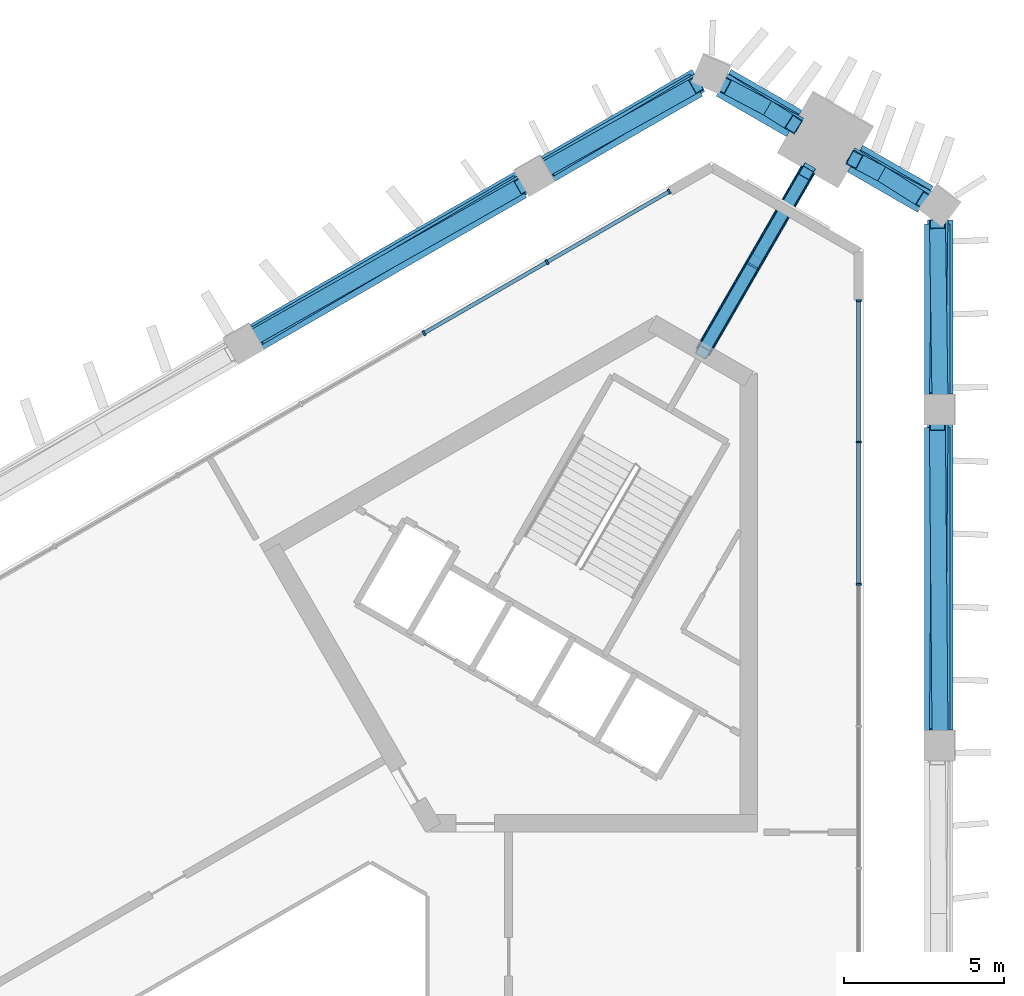
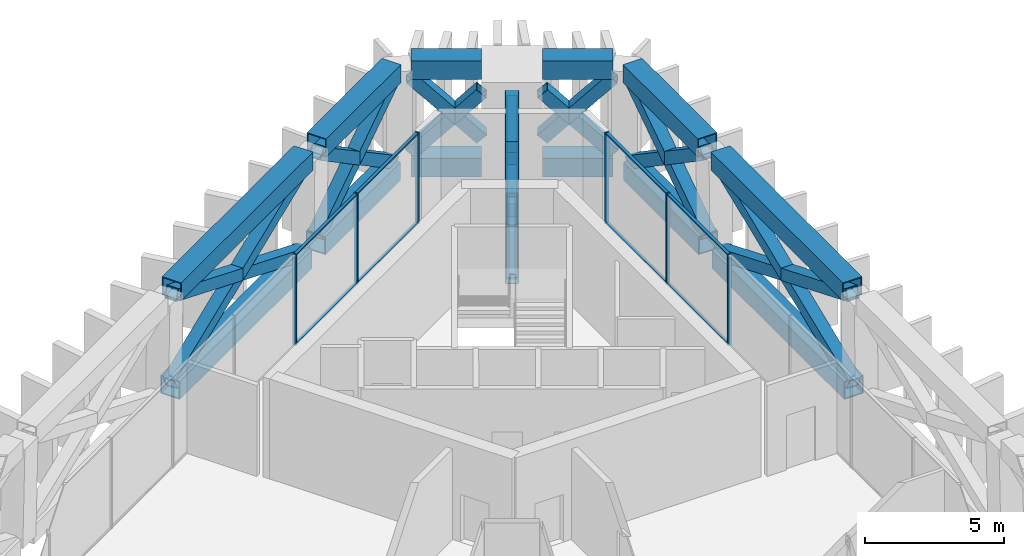
# One storey, part 8 of 15: 46 members, 2 elements without a shape of their own.
"""IFC4 building model written with IfcOpenShell, lengths in metres."""

from ifc_helpers import new_model, si_unit, direction, frame, origin, origin_2d, place, context, subcontext, project, spatial, rectangle, hollow_rectangle, extrude, material, layer, layer_set, material_profile, profile_set, type_object, element, aggregate, save


model = new_model("IFC4")

# Units and contexts
model_context = context("Model", 3, precision=1e-05, world=origin(), true_north=direction((0.0, 1.0)))
body_context = subcontext(model_context, "Body", "Model", "MODEL_VIEW")
ifc_project = project(units=[si_unit("LENGTHUNIT", "METRE"), si_unit("AREAUNIT", "SQUARE_METRE"), si_unit("VOLUMEUNIT", "CUBIC_METRE"), si_unit("PLANEANGLEUNIT", "RADIAN"), si_unit("MASSUNIT", "GRAM", prefix="KILO")], contexts=[model_context])

# Site, building, storey
site_placement = place(None, origin())
site = spatial("IfcSite", under=ifc_project, at=site_placement, CompositionType="ELEMENT")
building_placement = place(site_placement, origin())
building = spatial("IfcBuilding", under=site, at=building_placement, Name="Jabali Bay Hotel Tower and Convention Centre", CompositionType="ELEMENT")
storey_placement = place(building_placement, frame((0.0, 0.0, 201.39990234375)))
storey = spatial("IfcBuildingStorey", under=building, at=storey_placement, Name="L49", CompositionType="ELEMENT", Elevation=201.39990234375)

# Members
ifc_material_1 = material(Name="Steel Q420GJC", Category="steel")
ifc_material_profile_1 = material_profile(ifc_material_1, hollow_rectangle(XDim=0.5, YDim=0.5, WallThickness=0.030029296875, at=origin_2d()), Name="Belt brace 500x500x30")
ifc_profile_set_1 = profile_set([ifc_material_profile_1], Name="Steel Q420GJC")
member_type_1 = type_object("IfcMemberType", Name="Belt brace 500x500x30", PredefinedType="BRACE", material=ifc_profile_set_1)
member_1_placement = place(storey_placement, frame((91.0439453125, 109.987060546875, 1.176025390625), z_axis=(-0.60406023233, 0.319063000039, 0.730280793752), x_axis=(-0.467048750323, -0.88423156742, 0.0)))
element("IfcMember", 1, at=member_1_placement, inside=storey, type_object=member_type_1, Name="Belt brace T4 M1-V2 x1", PredefinedType="BRACE", context=body_context, shape_type="SweptSolid", body=[
    extrude(hollow_rectangle(XDim=0.5, YDim=0.5, WallThickness=0.030029296875, at=origin_2d()), origin(), (0.0, 0.0, 1.0), 3.719482421875),
])
member_2_placement = place(storey_placement, frame((88.845458984375, 111.28369140625, 0.50634765625), z_axis=(0.579379713275, -0.364164713086, 0.72917981979), x_axis=(0.53215392597, 0.846647623911, 0.0)))
element("IfcMember", 2, at=member_2_placement, inside=storey, type_object=member_type_1, Name="Belt brace T4 M1-V2 x2", PredefinedType="BRACE", context=body_context, shape_type="SweptSolid", body=[
    extrude(hollow_rectangle(XDim=0.5, YDim=0.5, WallThickness=0.030029296875, at=origin_2d()), origin(), (0.0, 0.0, 1.0), 3.732177734375),
])
member_3_placement = place(storey_placement, frame((88.035400390625, 111.293212890625, 0.322509765625), z_axis=(-0.710751922424, -0.423449210796, 0.561713869017), x_axis=(0.511825276994, -0.859089567991, 0.0)))
element("IfcMember", 3, at=member_3_placement, inside=storey, type_object=member_type_1, Name="Belt brace T4 V2-F1.1 x1", PredefinedType="BRACE", context=body_context, shape_type="SweptSolid", body=[
    extrude(hollow_rectangle(XDim=0.5, YDim=0.5, WallThickness=0.030029296875, at=origin_2d()), origin(), (0.0, 0.0, 1.0), 6.68505859375),
])
member_4_placement = place(storey_placement, frame((83.327392578125, 108.574951171875, 0.333984375), z_axis=(0.71423065892, 0.398947442213, 0.575078693928), x_axis=(-0.48765232902, 0.873037917848, 0.0)))
element("IfcMember", 4, at=member_4_placement, inside=storey, type_object=member_type_1, Name="Belt brace T4 V2-F1.1 x2", PredefinedType="BRACE", context=body_context, shape_type="SweptSolid", body=[
    extrude(hollow_rectangle(XDim=0.5, YDim=0.5, WallThickness=0.030029296875, at=origin_2d()), origin(), (0.0, 0.0, 1.0), 6.48974609375),
])
member_5_placement = place(storey_placement, frame((82.50341796875, 108.102294921875, 0.197998046875), z_axis=(-0.795490457327, -0.468241818131, 0.38463558345), x_axis=(0.507266594802, -0.861789186401, 0.0)))
element("IfcMember", 5, at=member_5_placement, inside=storey, type_object=member_type_1, Name="Belt brace T4 F1.1-F1.2 x1", PredefinedType="BRACE", context=body_context, shape_type="SweptSolid", body=[
    extrude(hollow_rectangle(XDim=0.5, YDim=0.5, WallThickness=0.030029296875, at=origin_2d()), origin(), (0.0, 0.0, 1.0), 10.41015625),
])
member_6_placement = place(storey_placement, frame((74.222412109375, 103.3212890625, 0.20068359375), z_axis=(0.801696760656, 0.453782552089, 0.389054879642), x_axis=(-0.492591587689, 0.870260609092, 0.0)))
element("IfcMember", 6, at=member_6_placement, inside=storey, type_object=member_type_1, Name="Belt brace T4 F1.1-F1.2 x2", PredefinedType="BRACE", context=body_context, shape_type="SweptSolid", body=[
    extrude(hollow_rectangle(XDim=0.5, YDim=0.5, WallThickness=0.030029296875, at=origin_2d()), origin(), (0.0, 0.0, 1.0), 10.278076171875),
])
member_7_placement = place(storey_placement, frame((95.58544921875, 90.987060546875, 0.20068359375), z_axis=(-0.007838448709, 0.921183993425, 0.389048337587), x_axis=(-0.999963799556, -0.008508794128, 0.0)))
element("IfcMember", 7, at=member_7_placement, inside=storey, type_object=member_type_1, Name="Belt brace T4 F0.4-F0.5 x1", PredefinedType="BRACE", context=body_context, shape_type="SweptSolid", body=[
    extrude(hollow_rectangle(XDim=0.5, YDim=0.5, WallThickness=0.030029296875, at=origin_2d()), origin(), (0.0, 0.0, 1.0), 10.2783203125),
])
member_8_placement = place(storey_placement, frame((95.585693359375, 100.54931640625, 0.197998046875), z_axis=(-0.007762528307, -0.923037316115, 0.384632105023), x_axis=(0.999964639789, -0.008409469137, 0.0)))
element("IfcMember", 8, at=member_8_placement, inside=storey, type_object=member_type_1, Name="Belt brace T4 F0.4-F0.5 x2", PredefinedType="BRACE", context=body_context, shape_type="SweptSolid", body=[
    extrude(hollow_rectangle(XDim=0.5, YDim=0.5, WallThickness=0.030029296875, at=origin_2d()), origin(), (0.0, 0.0, 1.0), 10.410400390625),
])
member_9_placement = place(storey_placement, frame((95.582763671875, 101.499267578125, 0.333984375), z_axis=(-0.01158690247, 0.81800521853, 0.575094084606), x_axis=(-0.999899693931, -0.014163406261, 0.0)))
element("IfcMember", 9, at=member_9_placement, inside=storey, type_object=member_type_1, Name="Belt brace T4 F0.5-V1 x1", PredefinedType="BRACE", context=body_context, shape_type="SweptSolid", body=[
    extrude(hollow_rectangle(XDim=0.5, YDim=0.5, WallThickness=0.030029296875, at=origin_2d()), origin(), (0.0, 0.0, 1.0), 6.48974609375),
])
member_10_placement = place(storey_placement, frame((95.5830078125, 106.935546875, 0.322509765625), z_axis=(-0.011321227141, -0.827253023193, 0.561715466614), x_axis=(0.999906369081, -0.013684044429, 0.0)))
element("IfcMember", 10, at=member_10_placement, inside=storey, type_object=member_type_1, Name="Belt brace T4 F0.5-V1 x2", PredefinedType="BRACE", context=body_context, shape_type="SweptSolid", body=[
    extrude(hollow_rectangle(XDim=0.5, YDim=0.5, WallThickness=0.030029296875, at=origin_2d()), origin(), (0.0, 0.0, 1.0), 6.68505859375),
])
member_11_placement = place(storey_placement, frame((95.169677734375, 107.63232421875, 0.50634765625), z_axis=(-0.605036808845, 0.31969022433, 0.729197243831), x_axis=(-0.467176026972, -0.884164328517, 0.0)))
element("IfcMember", 11, at=member_11_placement, inside=storey, type_object=member_type_1, Name="Belt brace T4 V1-M1 x1", PredefinedType="BRACE", context=body_context, shape_type="SweptSolid", body=[
    extrude(hollow_rectangle(XDim=0.5, YDim=0.5, WallThickness=0.030029296875, at=origin_2d()), origin(), (0.0, 0.0, 1.0), 3.732177734375),
])
member_12_placement = place(storey_placement, frame((92.94775390625, 108.887939453125, 1.176025390625), z_axis=(0.578299534748, -0.36358696061, 0.730324701886), x_axis=(0.532260100968, 0.846580879135, 0.0)))
element("IfcMember", 12, at=member_12_placement, inside=storey, type_object=member_type_1, Name="Belt brace T4 V1-M1 x2", PredefinedType="BRACE", context=body_context, shape_type="SweptSolid", body=[
    extrude(hollow_rectangle(XDim=0.5, YDim=0.5, WallThickness=0.030029296875, at=origin_2d()), origin(), (0.0, 0.0, 1.0), 3.71923828125),
])
ifc_material_profile_2 = material_profile(ifc_material_1, hollow_rectangle(XDim=0.800048828125, YDim=0.800048828125, WallThickness=0.0400390625, at=origin_2d()), Name="Belt chord 800x800x40")
ifc_profile_set_2 = profile_set([ifc_material_profile_2], Name="Steel Q420GJC")
member_type_2 = type_object("IfcMemberType", Name="Belt chord 800x800x40", PredefinedType="CHORD", material=ifc_profile_set_2)
member_13_placement = place(storey_placement, frame((91.06396484375, 110.0234375, 0.0), z_axis=(-0.866043744811, 0.499968231064, 0.0), x_axis=(-0.499968231064, -0.866043744811, 0.0)))
element("IfcMember", 13, at=member_13_placement, inside=storey, type_object=member_type_2, Name="Belt chord T4 M1-V2", PredefinedType="CHORD", context=body_context, shape_type="SweptSolid", body=[
    extrude(hollow_rectangle(XDim=0.800048828125, YDim=0.800048828125, WallThickness=0.0400390625, at=origin_2d()), origin(), (0.0, 0.0, 1.0), 2.551025390625),
])
member_14_placement = place(storey_placement, frame((88.031982421875, 111.298828125, 0.0), z_axis=(-0.866037510713, -0.499979029598, 0.0), x_axis=(0.499979029598, -0.866037510713, 0.0)))
element("IfcMember", 14, at=member_14_placement, inside=storey, type_object=member_type_2, Name="Belt chord T4 V2-F1.1", PredefinedType="CHORD", context=body_context, shape_type="SweptSolid", body=[
    extrude(hollow_rectangle(XDim=0.800048828125, YDim=0.800048828125, WallThickness=0.0400390625, at=origin_2d()), origin(), (0.0, 0.0, 1.0), 5.436279296875),
])
for number, where, z_axis, x_axis, name in (
    (15, (82.50146484375, 108.105712890625, 0.0), (-0.866033376156, -0.499986191193, 0.0), (0.499986191193, -0.866033376156, 0.0), "Belt chord T4 F1.1-F1.2"),
    (16, (95.589599609375, 90.987060546875, 0.0), (0.0, 1.0, 0.0), (-1.0, 0.0, 0.0), "Belt chord T4 F0.4-F0.5"),
):
    element("IfcMember", number, at=place(storey_placement, frame(where, z_axis=z_axis, x_axis=x_axis)), inside=storey, type_object=member_type_2, Name=name, PredefinedType="CHORD", context=body_context, shape_type="SweptSolid", body=[
        extrude(hollow_rectangle(XDim=0.800048828125, YDim=0.800048828125, WallThickness=0.0400390625, at=origin_2d()), origin(), (0.0, 0.0, 1.0), 9.562255859375),
    ])
member_15_placement = place(storey_placement, frame((95.589599609375, 101.499267578125, 0.0), z_axis=(0.0, 1.0, 0.0), x_axis=(-1.0, 0.0, 0.0)))
element("IfcMember", 17, at=member_15_placement, inside=storey, type_object=member_type_2, Name="Belt chord T4 F0.5-V1", PredefinedType="CHORD", context=body_context, shape_type="SweptSolid", body=[
    extrude(hollow_rectangle(XDim=0.800048828125, YDim=0.800048828125, WallThickness=0.0400390625, at=origin_2d()), origin(), (0.0, 0.0, 1.0), 5.436279296875),
])
member_16_placement = place(storey_placement, frame((95.17822265625, 107.64794921875, 0.0), z_axis=(-0.866019818373, 0.500009674092, 0.0), x_axis=(-0.500009674092, -0.866019818373, 0.0)))
element("IfcMember", 18, at=member_16_placement, inside=storey, type_object=member_type_2, Name="Belt chord T4 V1-M1", PredefinedType="CHORD", context=body_context, shape_type="SweptSolid", body=[
    extrude(hollow_rectangle(XDim=0.800048828125, YDim=0.800048828125, WallThickness=0.0400390625, at=origin_2d()), origin(), (0.0, 0.0, 1.0), 2.55078125),
])
member_17_placement = place(storey_placement, frame((90.986328125, 109.88916015625, 4.400146484375), z_axis=(-0.865996539853, 0.500049990464, 0.0), x_axis=(-0.500049990464, -0.865996539853, 0.0)))
element("IfcMember", 19, at=member_17_placement, inside=storey, type_object=member_type_2, Name="Belt chord T4 M1-V2", PredefinedType="CHORD", context=body_context, shape_type="SweptSolid", body=[
    extrude(hollow_rectangle(XDim=0.800048828125, YDim=0.800048828125, WallThickness=0.0400390625, at=origin_2d()), origin(), (0.0, 0.0, 1.0), 2.537841796875),
])
member_18_placement = place(storey_placement, frame((87.9658203125, 111.158203125, 4.400146484375), z_axis=(-0.866001200721, -0.500041918592, 0.0), x_axis=(0.500041918592, -0.866001200721, 0.0)))
element("IfcMember", 20, at=member_18_placement, inside=storey, type_object=member_type_2, Name="Belt chord T4 V2-F1.1", PredefinedType="CHORD", context=body_context, shape_type="SweptSolid", body=[
    extrude(hollow_rectangle(XDim=0.800048828125, YDim=0.800048828125, WallThickness=0.0400390625, at=origin_2d()), origin(), (0.0, 0.0, 1.0), 5.40234375),
])
for number, where, z_axis, x_axis, name in (
    (21, (82.464599609375, 107.98193359375, 4.400146484375), (-0.866028777211, -0.499994157009, 0.0), (0.499994157009, -0.866028777211, 0.0), "Belt chord T4 F1.1-F1.2"),
    (22, (95.500732421875, 90.940185546875, 4.400146484375), (0.0, 1.0, 0.0), (-1.0, 0.0, 0.0), "Belt chord T4 F0.4-F0.5"),
):
    element("IfcMember", number, at=place(storey_placement, frame(where, z_axis=z_axis, x_axis=x_axis)), inside=storey, type_object=member_type_2, Name=name, PredefinedType="CHORD", context=body_context, shape_type="SweptSolid", body=[
        extrude(hollow_rectangle(XDim=0.800048828125, YDim=0.800048828125, WallThickness=0.0400390625, at=origin_2d()), origin(), (0.0, 0.0, 1.0), 9.51513671875),
    ])
member_19_placement = place(storey_placement, frame((95.500732421875, 101.405517578125, 4.400146484375), z_axis=(0.0, 1.0, 0.0), x_axis=(-1.0, 0.0, 0.0)))
element("IfcMember", 23, at=member_19_placement, inside=storey, type_object=member_type_2, Name="Belt chord T4 F0.5-V1", PredefinedType="CHORD", context=body_context, shape_type="SweptSolid", body=[
    extrude(hollow_rectangle(XDim=0.800048828125, YDim=0.800048828125, WallThickness=0.0400390625, at=origin_2d()), origin(), (0.0, 0.0, 1.0), 5.40234375),
])
member_20_placement = place(storey_placement, frame((95.08935546875, 107.520263671875, 4.400146484375), z_axis=(-0.865996539853, 0.500049990464, 0.0), x_axis=(-0.500049990464, -0.865996539853, 0.0)))
element("IfcMember", 24, at=member_20_placement, inside=storey, type_object=member_type_2, Name="Belt chord T4 V1-M1", PredefinedType="CHORD", context=body_context, shape_type="SweptSolid", body=[
    extrude(hollow_rectangle(XDim=0.800048828125, YDim=0.800048828125, WallThickness=0.0400390625, at=origin_2d()), origin(), (0.0, 0.0, 1.0), 2.537841796875),
])

# Curtain wall, members
ifc_material_2 = material(Name="Aluminium and glass", Category="aluminium")
ifc_layer = layer(ifc_material_2, 0.159912109375)
ifc_layer_set = layer_set([ifc_layer], Name="Aluminium and glass")
curtain_wall_type = type_object("IfcCurtainWallType", Name="CW3 curtain wall", PredefinedType="NOTDEFINED", material=ifc_layer_set)
curtain_wall_1_placement = place(storey_placement, origin())
curtain_wall_1 = element("IfcCurtainWall", 25, at=curtain_wall_1_placement, inside=storey, type_object=curtain_wall_type, Name="CW3 curtain wall east face L49", PredefinedType="NOTDEFINED")
ifc_material_3 = material(Name="Aluminium", Category="aluminium")
ifc_material_profile_3 = material_profile(ifc_material_3, rectangle(XDim=0.159912109375, YDim=0.06005859375, at=origin_2d()), Name="CW3 mullion 60 x 160")
ifc_profile_set_3 = profile_set([ifc_material_profile_3], Name="Aluminium")
member_type_3 = type_object("IfcMemberType", Name="CW3 mullion 60 x 160", PredefinedType="MULLION", material=ifc_profile_set_3)
member_21_placement = place(storey_placement, frame((93.03955078125, 104.408203125, 0.0), z_axis=(0.0, 0.0, 1.0), x_axis=(1.0, 0.0, 0.0)))
member_21 = element("IfcMember", 26, at=member_21_placement, type_object=member_type_3, Name="CW3 mullion 1", PredefinedType="MULLION", context=body_context, shape_type="SweptSolid", body=[
    extrude(rectangle(XDim=0.159912109375, YDim=0.06005859375, at=origin_2d()), origin(), (0.0, 0.0, 1.0), 4.0),
])
member_22_placement = place(storey_placement, frame((93.03955078125, 99.994873046875, 0.0), z_axis=(0.0, 0.0, 1.0), x_axis=(1.0, 0.0, 0.0)))
member_22 = element("IfcMember", 27, at=member_22_placement, type_object=member_type_3, Name="CW3 mullion 2", PredefinedType="MULLION", context=body_context, shape_type="SweptSolid", body=[
    extrude(rectangle(XDim=0.159912109375, YDim=0.06005859375, at=origin_2d()), origin(), (0.0, 0.0, 1.0), 4.0),
])
member_23_placement = place(storey_placement, frame((93.03955078125, 95.551513671875, 0.0), z_axis=(0.0, 0.0, 1.0), x_axis=(1.0, 0.0, 0.0)))
member_23 = element("IfcMember", 28, at=member_23_placement, type_object=member_type_3, Name="CW3 mullion 3", PredefinedType="MULLION", context=body_context, shape_type="SweptSolid", body=[
    extrude(rectangle(XDim=0.159912109375, YDim=0.06005859375, at=origin_2d()), origin(), (0.0, 0.0, 1.0), 4.0),
])

curtain_wall_2_placement = place(storey_placement, origin())
curtain_wall_2 = element("IfcCurtainWall", 29, at=curtain_wall_2_placement, inside=storey, type_object=curtain_wall_type, Name="CW3 curtain wall north-west face L49", PredefinedType="NOTDEFINED")
member_24_placement = place(storey_placement, frame((79.4482421875, 103.398681640625, 0.0), z_axis=(0.0, 0.0, 1.0), x_axis=(-0.500000002025, 0.866025402615, 0.0)))
member_24 = element("IfcMember", 30, at=member_24_placement, type_object=member_type_3, Name="CW3 mullion 10", PredefinedType="MULLION", context=body_context, shape_type="SweptSolid", body=[
    extrude(rectangle(XDim=0.159912109375, YDim=0.06005859375, at=origin_2d()), origin(), (0.0, 0.0, 1.0), 4.0),
])
member_25_placement = place(storey_placement, frame((83.29638671875, 105.6201171875, 0.0), z_axis=(0.0, 0.0, 1.0), x_axis=(-0.500000002025, 0.866025402615, 0.0)))
member_25 = element("IfcMember", 31, at=member_25_placement, type_object=member_type_3, Name="CW3 mullion 11", PredefinedType="MULLION", context=body_context, shape_type="SweptSolid", body=[
    extrude(rectangle(XDim=0.159912109375, YDim=0.06005859375, at=origin_2d()), origin(), (0.0, 0.0, 1.0), 4.0),
])
member_26_placement = place(storey_placement, frame((87.118408203125, 107.826904296875, 0.0), z_axis=(0.0, 0.0, 1.0), x_axis=(-0.500000002025, 0.866025402615, 0.0)))
member_26 = element("IfcMember", 32, at=member_26_placement, type_object=member_type_3, Name="CW3 mullion 12", PredefinedType="MULLION", context=body_context, shape_type="SweptSolid", body=[
    extrude(rectangle(XDim=0.159912109375, YDim=0.06005859375, at=origin_2d()), origin(), (0.0, 0.0, 1.0), 4.0),
])

# Member
ifc_material_profile_4 = material_profile(ifc_material_3, rectangle(XDim=0.1201171875, YDim=0.06005859375, at=origin_2d()), Name="CW3 transom 60 x 120")
ifc_profile_set_4 = profile_set([ifc_material_profile_4], Name="Aluminium")
member_type_4 = type_object("IfcMemberType", Name="CW3 transom 60 x 120", PredefinedType="USERDEFINED", material=ifc_profile_set_4)
member_27_placement = place(storey_placement, frame((93.03955078125, 104.378173828125, 0.030029296875), z_axis=(0.0, -1.0, 0.0), x_axis=(1.0, 0.0, 0.0)))
member_27 = element("IfcMember", 33, at=member_27_placement, type_object=member_type_4, Name="CW3 transom 1.1", ObjectType="TRANSOM", PredefinedType="USERDEFINED", context=body_context, shape_type="SweptSolid", body=[
    extrude(rectangle(XDim=0.1201171875, YDim=0.06005859375, at=origin_2d()), origin(), (0.0, 0.0, 1.0), 4.353271484375),
])

member_28_placement = place(storey_placement, frame((93.03955078125, 104.378173828125, 3.97021484375), z_axis=(0.0, -1.0, 0.0), x_axis=(1.0, 0.0, 0.0)))
member_28 = element("IfcMember", 34, at=member_28_placement, type_object=member_type_4, Name="CW3 transom 1.2", ObjectType="TRANSOM", PredefinedType="USERDEFINED", context=body_context, shape_type="SweptSolid", body=[
    extrude(rectangle(XDim=0.1201171875, YDim=0.06005859375, at=origin_2d()), origin(), (0.0, 0.0, 1.0), 4.353271484375),
])

member_29_placement = place(storey_placement, frame((93.03955078125, 99.96484375, 0.030029296875), z_axis=(0.0, -1.0, 0.0), x_axis=(1.0, 0.0, 0.0)))
member_29 = element("IfcMember", 35, at=member_29_placement, type_object=member_type_4, Name="CW3 transom 2.1", ObjectType="TRANSOM", PredefinedType="USERDEFINED", context=body_context, shape_type="SweptSolid", body=[
    extrude(rectangle(XDim=0.1201171875, YDim=0.06005859375, at=origin_2d()), origin(), (0.0, 0.0, 1.0), 4.38330078125),
])

member_30_placement = place(storey_placement, frame((93.03955078125, 99.96484375, 3.97021484375), z_axis=(0.0, -1.0, 0.0), x_axis=(1.0, 0.0, 0.0)))
member_30 = element("IfcMember", 36, at=member_30_placement, type_object=member_type_4, Name="CW3 transom 2.2", ObjectType="TRANSOM", PredefinedType="USERDEFINED", context=body_context, shape_type="SweptSolid", body=[
    extrude(rectangle(XDim=0.1201171875, YDim=0.06005859375, at=origin_2d()), origin(), (0.0, 0.0, 1.0), 4.38330078125),
])

aggregate(curtain_wall_1, [member_21, member_22, member_23, member_27, member_28, member_29, member_30])

member_31_placement = place(storey_placement, frame((79.474365234375, 103.41357421875, 0.030029296875), z_axis=(0.866016768837, 0.500014955869, 0.0), x_axis=(-0.500014955869, 0.866016768837, 0.0)))
member_31 = element("IfcMember", 37, at=member_31_placement, type_object=member_type_4, Name="CW3 transom 10.1", ObjectType="TRANSOM", PredefinedType="USERDEFINED", context=body_context, shape_type="SweptSolid", body=[
    extrude(rectangle(XDim=0.1201171875, YDim=0.06005859375, at=origin_2d()), origin(), (0.0, 0.0, 1.0), 4.383056640625),
])

member_32_placement = place(storey_placement, frame((79.474365234375, 103.41357421875, 3.97021484375), z_axis=(0.866016768837, 0.500014955869, 0.0), x_axis=(-0.500014955869, 0.866016768837, 0.0)))
member_32 = element("IfcMember", 38, at=member_32_placement, type_object=member_type_4, Name="CW3 transom 10.2", ObjectType="TRANSOM", PredefinedType="USERDEFINED", context=body_context, shape_type="SweptSolid", body=[
    extrude(rectangle(XDim=0.1201171875, YDim=0.06005859375, at=origin_2d()), origin(), (0.0, 0.0, 1.0), 4.383056640625),
])

member_33_placement = place(storey_placement, frame((83.322265625, 105.63525390625, 0.030029296875), z_axis=(0.86601187378, 0.500023433922, 0.0), x_axis=(-0.500023433922, 0.86601187378, 0.0)))
member_33 = element("IfcMember", 39, at=member_33_placement, type_object=member_type_4, Name="CW3 transom 11.1", ObjectType="TRANSOM", PredefinedType="USERDEFINED", context=body_context, shape_type="SweptSolid", body=[
    extrude(rectangle(XDim=0.1201171875, YDim=0.06005859375, at=origin_2d()), origin(), (0.0, 0.0, 1.0), 4.353271484375),
])

member_34_placement = place(storey_placement, frame((83.322265625, 105.63525390625, 3.97021484375), z_axis=(0.86601187378, 0.500023433922, 0.0), x_axis=(-0.500023433922, 0.86601187378, 0.0)))
member_34 = element("IfcMember", 40, at=member_34_placement, type_object=member_type_4, Name="CW3 transom 11.2", ObjectType="TRANSOM", PredefinedType="USERDEFINED", context=body_context, shape_type="SweptSolid", body=[
    extrude(rectangle(XDim=0.1201171875, YDim=0.06005859375, at=origin_2d()), origin(), (0.0, 0.0, 1.0), 4.353271484375),
])

aggregate(curtain_wall_2, [member_24, member_25, member_26, member_31, member_32, member_33, member_34])

# Members
ifc_material_profile_5 = material_profile(ifc_material_1, hollow_rectangle(XDim=0.39990234375, YDim=0.39990234375, WallThickness=0.011962890625, InnerFilletRadius=0.01806640625, OuterFilletRadius=0.030029296875, at=origin_2d()), Name="Outrigger brace 400x400x12")
ifc_profile_set_5 = profile_set([ifc_material_profile_5], Name="Steel Q420GJC")
member_type_5 = type_object("IfcMemberType", Name="Outrigger brace 400x400x12", PredefinedType="BRACE", material=ifc_profile_set_5)
member_35_placement = place(storey_placement, frame((88.1640625, 102.80078125, 0.25), z_axis=(0.339455080054, 0.587951768108, 0.734222695784), x_axis=(-0.866024786089, 0.500001069878, 0.0)))
element("IfcMember", 41, at=member_35_placement, inside=storey, type_object=member_type_5, Name="Outrigger brace T4 2.1x1", PredefinedType="BRACE", context=body_context, shape_type="SweptSolid", body=[
    extrude(hollow_rectangle(XDim=0.39990234375, YDim=0.39990234375, WallThickness=0.011962890625, InnerFilletRadius=0.01806640625, OuterFilletRadius=0.030029296875, at=origin_2d()), origin(), (0.0, 0.0, 1.0), 4.766845703125),
])
member_36_placement = place(storey_placement, frame((89.81298828125, 105.656982421875, 0.25), z_axis=(-0.3428806268, -0.593923667891, 0.727796367457), x_axis=(0.866038891988, -0.499976637019, 0.0)))
element("IfcMember", 42, at=member_36_placement, inside=storey, type_object=member_type_5, Name="Outrigger brace T4 2.1x2", PredefinedType="BRACE", context=body_context, shape_type="SweptSolid", body=[
    extrude(hollow_rectangle(XDim=0.39990234375, YDim=0.39990234375, WallThickness=0.011962890625, InnerFilletRadius=0.01806640625, OuterFilletRadius=0.030029296875, at=origin_2d()), origin(), (0.0, 0.0, 1.0), 4.80908203125),
])
member_37_placement = place(storey_placement, frame((89.81298828125, 105.656982421875, 0.25), z_axis=(0.335927805855, 0.581854652344, 0.740673796484), x_axis=(-0.866029357279, 0.499993152284, 0.0)))
element("IfcMember", 43, at=member_37_placement, inside=storey, type_object=member_type_5, Name="Outrigger brace T4 2.2x1", PredefinedType="BRACE", context=body_context, shape_type="SweptSolid", body=[
    extrude(hollow_rectangle(XDim=0.39990234375, YDim=0.39990234375, WallThickness=0.011962890625, InnerFilletRadius=0.01806640625, OuterFilletRadius=0.030029296875, at=origin_2d()), origin(), (0.0, 0.0, 1.0), 4.725341796875),
])
member_38_placement = place(storey_placement, frame((91.462158203125, 108.51318359375, 0.25), z_axis=(-0.346261106421, -0.599729671025, 0.721406659155), x_axis=(0.866021014662, -0.500007602105, 0.0)))
element("IfcMember", 44, at=member_38_placement, inside=storey, type_object=member_type_5, Name="Outrigger brace T4 2.2x2", PredefinedType="BRACE", context=body_context, shape_type="SweptSolid", body=[
    extrude(hollow_rectangle(XDim=0.39990234375, YDim=0.39990234375, WallThickness=0.011962890625, InnerFilletRadius=0.01806640625, OuterFilletRadius=0.030029296875, at=origin_2d()), origin(), (0.0, 0.0, 1.0), 4.8515625),
])
ifc_material_profile_6 = material_profile(ifc_material_1, hollow_rectangle(XDim=0.5, YDim=0.5, WallThickness=0.01611328125, InnerFilletRadius=0.02392578125, OuterFilletRadius=0.0400390625, at=origin_2d()), Name="Outrigger chord 500x500x16")
ifc_profile_set_6 = profile_set([ifc_material_profile_6], Name="Steel Q420GJC")
member_type_6 = type_object("IfcMemberType", Name="Outrigger chord 500x500x16", PredefinedType="CHORD", material=ifc_profile_set_6)
for number, where, z_axis, x_axis, name in (
    (45, (88.1640625, 102.80078125, 0.25), (0.499976637019, 0.866038891988, 0.0), (-0.866038891988, 0.499976637019, 0.0), "Outrigger chord T4 2.lo1"),
    (46, (89.81298828125, 105.656982421875, 0.25), (0.500032155725, 0.866006837872, 0.0), (-0.866006837872, 0.500032155725, 0.0), "Outrigger chord T4 2.lo2"),
):
    element("IfcMember", number, at=place(storey_placement, frame(where, z_axis=z_axis, x_axis=x_axis)), inside=storey, type_object=member_type_6, Name=name, PredefinedType="CHORD", context=body_context, shape_type="SweptSolid", body=[
        extrude(hollow_rectangle(XDim=0.5, YDim=0.5, WallThickness=0.01611328125, InnerFilletRadius=0.02392578125, OuterFilletRadius=0.0400390625, at=origin_2d()), origin(), (0.0, 0.0, 1.0), 3.298095703125),
    ])
member_39_placement = place(storey_placement, frame((88.1640625, 102.80078125, 3.75), z_axis=(0.500001069878, 0.866024786089, 0.0), x_axis=(-0.866024786089, 0.500001069878, 0.0)))
element("IfcMember", 47, at=member_39_placement, inside=storey, type_object=member_type_6, Name="Outrigger chord T4 2.hi1", PredefinedType="CHORD", context=body_context, shape_type="SweptSolid", body=[
    extrude(hollow_rectangle(XDim=0.5, YDim=0.5, WallThickness=0.01611328125, InnerFilletRadius=0.02392578125, OuterFilletRadius=0.0400390625, at=origin_2d()), origin(), (0.0, 0.0, 1.0), 3.236328125),
])
member_40_placement = place(storey_placement, frame((89.7822265625, 105.603515625, 3.75), z_axis=(0.499968406128, 0.866043643747, 0.0), x_axis=(-0.866043643747, 0.499968406128, 0.0)))
element("IfcMember", 48, at=member_40_placement, inside=storey, type_object=member_type_6, Name="Outrigger chord T4 2.hi2", PredefinedType="CHORD", context=body_context, shape_type="SweptSolid", body=[
    extrude(hollow_rectangle(XDim=0.5, YDim=0.5, WallThickness=0.01611328125, InnerFilletRadius=0.02392578125, OuterFilletRadius=0.0400390625, at=origin_2d()), origin(), (0.0, 0.0, 1.0), 3.236572265625),
])

save(model, "model.ifc")
